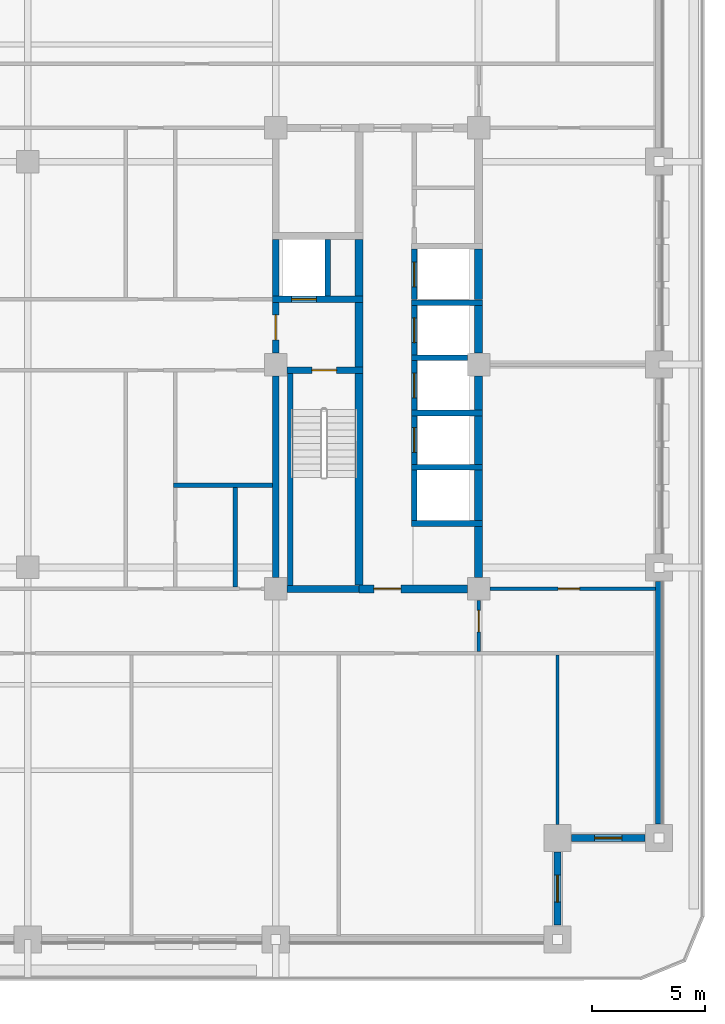
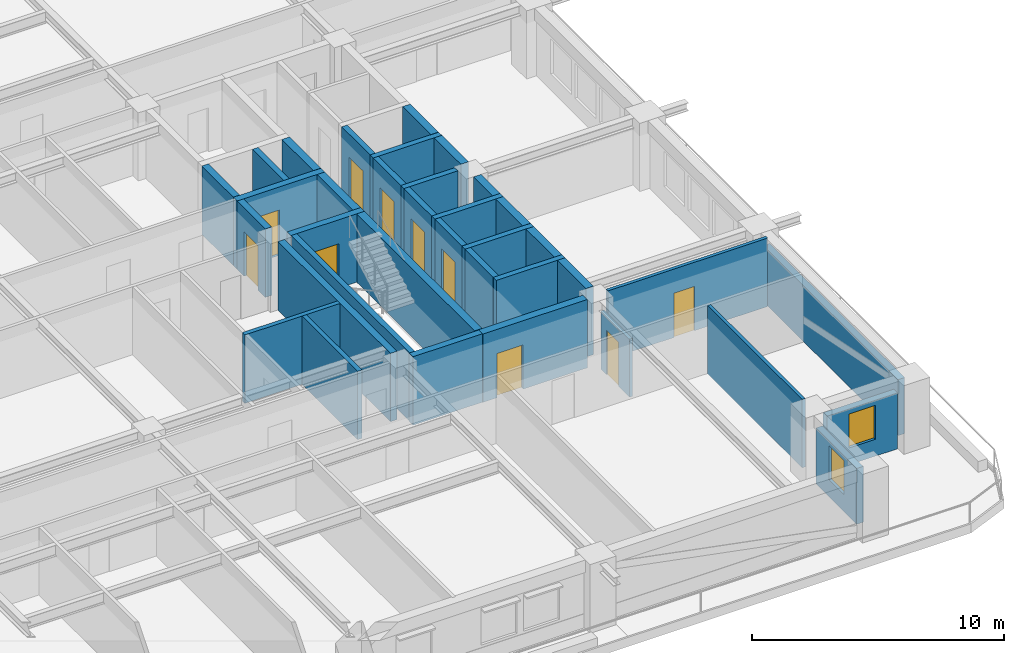
# One storey, part 4 of 13: 36 walls, 10 doors, 2 windows, 12 openings.
"""IFC4 building model written with IfcOpenShell, lengths in metres."""

from ifc_helpers import new_model, si_unit, direction, frame, frame_2d, origin, place, context, subcontext, project, spatial, rectangle, extrude, material, layer, layer_set, type_object, element, fill, save


model = new_model("IFC4")

# Units and contexts
model_context = context("Model", 3, precision=1e-05, world=origin(), true_north=direction((0.0, 1.0)))
body_context = subcontext(model_context, "Body", "Model", "MODEL_VIEW")
ifc_project = project(units=[si_unit("LENGTHUNIT", "METRE"), si_unit("AREAUNIT", "SQUARE_METRE"), si_unit("VOLUMEUNIT", "CUBIC_METRE"), si_unit("PLANEANGLEUNIT", "RADIAN"), si_unit("MASSUNIT", "GRAM", prefix="KILO")], contexts=[model_context])

# Site, building, storey
site_placement = place(None, origin())
site = spatial("IfcSite", under=ifc_project, at=site_placement, CompositionType="ELEMENT")
building_placement = place(site_placement, origin())
building = spatial("IfcBuilding", under=site, at=building_placement, Name="Zulmaris Gate Convention Tower", CompositionType="ELEMENT")
storey_placement = place(building_placement, frame((0.0, 0.0, 109.2099609375)))
storey = spatial("IfcBuildingStorey", under=building, at=storey_placement, Name="L27", CompositionType="ELEMENT", Elevation=109.2099609375)

# Walls
ifc_material_1 = material(Name="Concrete C50/60", Category="concrete")
ifc_layer_1 = layer(ifc_material_1, 0.25, Name="Concrete C50/60")
ifc_layer_set_1 = layer_set([ifc_layer_1], Name="Concrete C50/60")
wall_type_1 = type_object("IfcWallType", Name="CORE-250", PredefinedType="SOLIDWALL", material=ifc_layer_set_1)
for number, where, z_axis, x_axis, name in (
    (1, (17.02490234375, -7.050048828125, 0.0), (0.0, 0.0, 1.0), (1.0, 0.0, 0.0), "WL-L27-005"),
    (2, (17.02490234375, -4.550048828125, 0.0), (0.0, 0.0, 1.0), (1.0, 0.0, 0.0), "WL-L27-006"),
    (3, (17.02490234375, -2.14990234375, 0.0), (0.0, 0.0, 1.0), (1.0, 0.0, 0.0), "WL-L27-007"),
):
    element("IfcWall", number, at=place(storey_placement, frame(where, z_axis=z_axis, x_axis=x_axis)), inside=storey, type_object=wall_type_1, Name=name, PredefinedType="SOLIDWALL", context=body_context, shape_type="SweptSolid", body=[
        extrude(rectangle(XDim=3.150146484375, YDim=0.25, at=frame_2d((1.5751953125, 0.0))), origin(), (0.0, 0.0, 1.0), 3.320068359375),
    ])
wall_1_placement = place(storey_placement, frame((17.02490234375, 0.300048828125, 0.0), z_axis=(0.0, 0.0, 1.0), x_axis=(1.0, 0.0, 0.0)))
element("IfcWall", 4, at=wall_1_placement, inside=storey, type_object=wall_type_1, Name="WL-L27-010", PredefinedType="SOLIDWALL", context=body_context, shape_type="SweptSolid", body=[
    extrude(rectangle(XDim=2.47119140625, YDim=0.25, at=frame_2d((1.235595703125, 0.0))), origin(), (0.0, 0.0, 1.0), 3.320068359375),
])
wall_2_placement = place(storey_placement, frame((17.02490234375, 2.75, 0.0), z_axis=(0.0, 0.0, 1.0), x_axis=(1.0, 0.0, 0.0)))
element("IfcWall", 5, at=wall_2_placement, inside=storey, type_object=wall_type_1, Name="WL-L27-011", PredefinedType="SOLIDWALL", context=body_context, shape_type="SweptSolid", body=[
    extrude(rectangle(XDim=3.150146484375, YDim=0.25, at=frame_2d((1.5751953125, 0.0))), origin(), (0.0, 0.0, 1.0), 3.320068359375),
])
wall_3_placement = place(storey_placement, frame((11.64990234375, -9.798095703125, 0.0), z_axis=(0.0, 0.0, 1.0), x_axis=(0.0, 1.0, 0.0)))
element("IfcWall", 6, at=wall_3_placement, inside=storey, type_object=wall_type_1, Name="WL-L27-051", PredefinedType="SOLIDWALL", context=body_context, shape_type="SweptSolid", body=[
    extrude(rectangle(XDim=9.39599609375, YDim=0.25, at=frame_2d((4.697998046875, 0.0))), origin(), (0.0, 0.0, 1.0), 3.320068359375),
])
wall_4_placement = place(storey_placement, frame((13.300048828125, 3.052001953125, 0.0), z_axis=(0.0, 0.0, 1.0), x_axis=(0.0, 1.0, 0.0)))
element("IfcWall", 7, at=wall_4_placement, inside=storey, type_object=wall_type_1, Name="WL-L27-052", PredefinedType="SOLIDWALL", context=body_context, shape_type="SweptSolid", body=[
    extrude(rectangle(XDim=2.49609375, YDim=0.25, at=frame_2d((1.248046875, 0.0))), origin(), (0.0, 0.0, 1.0), 3.320068359375),
])
wall_5_placement = place(storey_placement, frame((17.14990234375, -6.923095703125, 0.0), z_axis=(0.0, 0.0, 1.0), x_axis=(0.0, 1.0, 0.0)))
element("IfcWall", 8, at=wall_5_placement, inside=storey, type_object=wall_type_1, Name="WL-L27-057", PredefinedType="SOLIDWALL", context=body_context, shape_type="SweptSolid", body=[
    extrude(rectangle(XDim=2.24609375, YDim=0.25, at=frame_2d((1.123046875, 0.0))), origin(), (0.0, 0.0, 1.0), 3.320068359375),
])

# Wall, opening, door
wall_6_placement = place(storey_placement, frame((17.14990234375, -4.423095703125, 0.0), z_axis=(0.0, 0.0, 1.0), x_axis=(0.0, 1.0, 0.0)))
wall_6 = element("IfcWall", 9, at=wall_6_placement, inside=storey, type_object=wall_type_1, Name="WL-L27-058", PredefinedType="SOLIDWALL", context=body_context, shape_type="SweptSolid", body=[
    extrude(rectangle(XDim=2.14599609375, YDim=0.25, at=frame_2d((1.072998046875, 0.0))), origin(), (0.0, 0.0, 1.0), 3.320068359375),
])
opening_1_placement = place(wall_6_placement, frame((0.52294921875, 0.0, 0.0)))
opening_1 = element("IfcOpeningElement", 10, at=opening_1_placement, cuts=wall_6, Name="Opening D-06", PredefinedType="OPENING", context=body_context, shape_type="SweptSolid", body=[
    extrude(rectangle(XDim=1.10009765625, YDim=2.199951171875, at=frame_2d((0.550048828125, 1.10009765625))), frame((0.0, 0.135009765625, 0.0), z_axis=(0.0, -1.0, 0.0), x_axis=(1.0, 0.0, 0.0)), (0.0, 0.0, 1.0), 0.27001953125),
])
ifc_material_2 = material(Name="Brushed Stainless Steel", Category="steel")
door_type_1 = type_object("IfcDoorType", Name="LD-1100", OperationType="NOTDEFINED", PredefinedType="DOOR", material=ifc_material_2)
door_1_placement = place(opening_1_placement, origin())
door_1 = element("IfcDoor", 11, at=door_1_placement, inside=storey, type_object=door_type_1, Name="L27 Lift Landing Door MP-01 13", OperationType="SLIDING_TO_RIGHT", OverallHeight=2.199951171875, OverallWidth=1.10009765625, PredefinedType="DOOR", context=body_context, shape_type="SweptSolid", body=[
    extrude(rectangle(XDim=1.10009765625, YDim=2.199951171875, at=frame_2d((0.550048828125, 1.10009765625))), frame((0.0, 0.02490234375, 0.0), z_axis=(0.0, -1.0, 0.0), x_axis=(1.0, 0.0, 0.0)), (0.0, 0.0, 1.0), 0.050048828125),
])
fill(opening_1, door_1)

wall_7_placement = place(storey_placement, frame((17.14990234375, -2.02294921875, 0.0), z_axis=(0.0, 0.0, 1.0), x_axis=(0.0, 1.0, 0.0)))
wall_7 = element("IfcWall", 12, at=wall_7_placement, inside=storey, type_object=wall_type_1, Name="WL-L27-059", PredefinedType="SOLIDWALL", context=body_context, shape_type="SweptSolid", body=[
    extrude(rectangle(XDim=2.196044921875, YDim=0.25, at=frame_2d((1.09814453125, 0.0))), origin(), (0.0, 0.0, 1.0), 3.320068359375),
])
opening_2_placement = place(wall_7_placement, frame((0.548095703125, 0.0, 0.0)))
opening_2 = element("IfcOpeningElement", 13, at=opening_2_placement, cuts=wall_7, Name="Opening D-06", PredefinedType="OPENING", context=body_context, shape_type="SweptSolid", body=[
    extrude(rectangle(XDim=1.10009765625, YDim=2.199951171875, at=frame_2d((0.550048828125, 1.10009765625))), frame((0.0, 0.135009765625, 0.0), z_axis=(0.0, -1.0, 0.0), x_axis=(1.0, 0.0, 0.0)), (0.0, 0.0, 1.0), 0.27001953125),
])
door_2_placement = place(opening_2_placement, origin())
door_2 = element("IfcDoor", 14, at=door_2_placement, inside=storey, type_object=door_type_1, Name="L27 Lift Landing Door MP-02 14", OperationType="SLIDING_TO_RIGHT", OverallHeight=2.199951171875, OverallWidth=1.10009765625, PredefinedType="DOOR", context=body_context, shape_type="SweptSolid", body=[
    extrude(rectangle(XDim=1.10009765625, YDim=2.199951171875, at=frame_2d((0.550048828125, 1.10009765625))), frame((0.0, 0.02490234375, 0.0), z_axis=(0.0, -1.0, 0.0), x_axis=(1.0, 0.0, 0.0)), (0.0, 0.0, 1.0), 0.050048828125),
])
fill(opening_2, door_2)

wall_8_placement = place(storey_placement, frame((17.14990234375, 0.427001953125, 0.0), z_axis=(0.0, 0.0, 1.0), x_axis=(0.0, 1.0, 0.0)))
wall_8 = element("IfcWall", 15, at=wall_8_placement, inside=storey, type_object=wall_type_1, Name="WL-L27-060", PredefinedType="SOLIDWALL", context=body_context, shape_type="SweptSolid", body=[
    extrude(rectangle(XDim=2.196044921875, YDim=0.25, at=frame_2d((1.09814453125, 0.0))), origin(), (0.0, 0.0, 1.0), 3.320068359375),
])
opening_3_placement = place(wall_8_placement, frame((0.548095703125, 0.0, 0.0)))
opening_3 = element("IfcOpeningElement", 16, at=opening_3_placement, cuts=wall_8, Name="Opening D-06", PredefinedType="OPENING", context=body_context, shape_type="SweptSolid", body=[
    extrude(rectangle(XDim=1.10009765625, YDim=2.199951171875, at=frame_2d((0.550048828125, 1.10009765625))), frame((0.0, 0.135009765625, 0.0), z_axis=(0.0, -1.0, 0.0), x_axis=(1.0, 0.0, 0.0)), (0.0, 0.0, 1.0), 0.27001953125),
])
door_3_placement = place(opening_3_placement, origin())
door_3 = element("IfcDoor", 17, at=door_3_placement, inside=storey, type_object=door_type_1, Name="L27 Lift Landing Door MP-03 15", OperationType="SLIDING_TO_RIGHT", OverallHeight=2.199951171875, OverallWidth=1.10009765625, PredefinedType="DOOR", context=body_context, shape_type="SweptSolid", body=[
    extrude(rectangle(XDim=1.10009765625, YDim=2.199951171875, at=frame_2d((0.550048828125, 1.10009765625))), frame((0.0, 0.02490234375, 0.0), z_axis=(0.0, -1.0, 0.0), x_axis=(1.0, 0.0, 0.0)), (0.0, 0.0, 1.0), 0.050048828125),
])
fill(opening_3, door_3)

wall_9_placement = place(storey_placement, frame((17.14990234375, 2.876953125, 0.0), z_axis=(0.0, 0.0, 1.0), x_axis=(0.0, 1.0, 0.0)))
wall_9 = element("IfcWall", 18, at=wall_9_placement, inside=storey, type_object=wall_type_1, Name="WL-L27-061", PredefinedType="SOLIDWALL", context=body_context, shape_type="SweptSolid", body=[
    extrude(rectangle(XDim=2.24609375, YDim=0.25, at=frame_2d((1.123046875, 0.0))), origin(), (0.0, 0.0, 1.0), 3.320068359375),
])
opening_4_placement = place(wall_9_placement, frame((0.572998046875, 0.0, 0.0)))
opening_4 = element("IfcOpeningElement", 19, at=opening_4_placement, cuts=wall_9, Name="Opening D-06", PredefinedType="OPENING", context=body_context, shape_type="SweptSolid", body=[
    extrude(rectangle(XDim=1.10009765625, YDim=2.199951171875, at=frame_2d((0.550048828125, 1.10009765625))), frame((0.0, 0.135009765625, 0.0), z_axis=(0.0, -1.0, 0.0), x_axis=(1.0, 0.0, 0.0)), (0.0, 0.0, 1.0), 0.27001953125),
])
door_4_placement = place(opening_4_placement, origin())
door_4 = element("IfcDoor", 20, at=door_4_placement, inside=storey, type_object=door_type_1, Name="L27 Lift Landing Door MP-04 16", OperationType="SLIDING_TO_RIGHT", OverallHeight=2.199951171875, OverallWidth=1.10009765625, PredefinedType="DOOR", context=body_context, shape_type="SweptSolid", body=[
    extrude(rectangle(XDim=1.10009765625, YDim=2.199951171875, at=frame_2d((0.550048828125, 1.10009765625))), frame((0.0, 0.02490234375, 0.0), z_axis=(0.0, -1.0, 0.0), x_axis=(1.0, 0.0, 0.0)), (0.0, 0.0, 1.0), 0.050048828125),
])
fill(opening_4, door_4)

# Wall
ifc_layer_2 = layer(ifc_material_1, 0.300048828125, Name="Concrete C50/60")
ifc_layer_set_2 = layer_set([ifc_layer_2], Name="Concrete C50/60")
wall_type_2 = type_object("IfcWallType", Name="CORE-300", PredefinedType="SHEAR", material=ifc_layer_set_2)
wall_10_placement = place(storey_placement, frame((11.50390625, -9.949951171875, 0.0), z_axis=(0.0, 0.0, 1.0), x_axis=(1.0, 0.0, 0.0)))
element("IfcWall", 21, at=wall_10_placement, inside=storey, type_object=wall_type_2, Name="WL-L27-003", PredefinedType="SHEAR", context=body_context, shape_type="SweptSolid", body=[
    extrude(rectangle(XDim=3.196044921875, YDim=0.300048828125, at=frame_2d((1.59814453125, 0.0))), origin(), (0.0, 0.0, 1.0), 3.320068359375),
])

# Wall, opening, door
wall_11_placement = place(storey_placement, frame((11.50390625, -0.25, 0.0), z_axis=(0.0, 0.0, 1.0), x_axis=(1.0, 0.0, 0.0)))
wall_11 = element("IfcWall", 22, at=wall_11_placement, inside=storey, type_object=wall_type_2, Name="WL-L27-009", PredefinedType="SHEAR", context=body_context, shape_type="SweptSolid", body=[
    extrude(rectangle(XDim=3.37109375, YDim=0.300048828125, at=frame_2d((1.685546875, 0.0))), origin(), (0.0, 0.0, 1.0), 3.320068359375),
])
opening_5_placement = place(wall_11_placement, frame((1.095947265625, 0.0, 0.0)))
opening_5 = element("IfcOpeningElement", 23, at=opening_5_placement, cuts=wall_11, Name="Opening D-08", PredefinedType="OPENING", context=body_context, shape_type="SweptSolid", body=[
    extrude(rectangle(XDim=1.10009765625, YDim=2.14990234375, at=frame_2d((0.550048828125, 1.074951171875))), frame((0.0, 0.16015625, 0.0), z_axis=(0.0, -1.0, 0.0), x_axis=(1.0, 0.0, 0.0)), (0.0, 0.0, 1.0), 0.320068359375),
])
ifc_material_3 = material(Name="Fire-Rated Steel", Category="steel")
door_type_2 = type_object("IfcDoorType", Name="DR-1100-FD", OperationType="NOTDEFINED", PredefinedType="DOOR", material=ifc_material_3)
door_5_placement = place(opening_5_placement, origin())
door_5 = element("IfcDoor", 24, at=door_5_placement, inside=storey, type_object=door_type_2, Name="L27 Exit Stair ST-2 Door 04", OperationType="SINGLE_SWING_LEFT", OverallHeight=2.14990234375, OverallWidth=1.10009765625, PredefinedType="DOOR", context=body_context, shape_type="SweptSolid", body=[
    extrude(rectangle(XDim=1.10009765625, YDim=2.14990234375, at=frame_2d((0.550048828125, 1.074951171875))), frame((0.0, 0.02490234375, 0.0), z_axis=(0.0, -1.0, 0.0), x_axis=(1.0, 0.0, 0.0)), (0.0, 0.0, 1.0), 0.050048828125),
])
fill(opening_5, door_5)

wall_12_placement = place(storey_placement, frame((10.85009765625, 2.89990234375, 0.0), z_axis=(0.0, 0.0, 1.0), x_axis=(1.0, 0.0, 0.0)))
wall_12 = element("IfcWall", 25, at=wall_12_placement, inside=storey, type_object=wall_type_2, Name="WL-L27-013", PredefinedType="SHEAR", context=body_context, shape_type="SweptSolid", body=[
    extrude(rectangle(XDim=4.02490234375, YDim=0.300048828125, at=frame_2d((2.012451171875, 0.0))), origin(), (0.0, 0.0, 1.0), 3.320068359375),
])
opening_6_placement = place(wall_12_placement, frame((0.85009765625, 0.0, 0.0)))
opening_6 = element("IfcOpeningElement", 26, at=opening_6_placement, cuts=wall_12, Name="Opening D-06", PredefinedType="OPENING", context=body_context, shape_type="SweptSolid", body=[
    extrude(rectangle(XDim=1.10009765625, YDim=2.199951171875, at=frame_2d((0.550048828125, 1.10009765625))), frame((0.0, 0.16015625, 0.0), z_axis=(0.0, -1.0, 0.0), x_axis=(1.0, 0.0, 0.0)), (0.0, 0.0, 1.0), 0.320068359375),
])
door_6_placement = place(opening_6_placement, origin())
door_6 = element("IfcDoor", 27, at=door_6_placement, inside=storey, type_object=door_type_1, Name="L27 Lift Landing Door LF-02 06", OperationType="SLIDING_TO_RIGHT", OverallHeight=2.199951171875, OverallWidth=1.10009765625, PredefinedType="DOOR", context=body_context, shape_type="SweptSolid", body=[
    extrude(rectangle(XDim=1.10009765625, YDim=2.199951171875, at=frame_2d((0.550048828125, 1.10009765625))), frame((0.0, 0.02490234375, 0.0), z_axis=(0.0, -1.0, 0.0), x_axis=(1.0, 0.0, 0.0)), (0.0, 0.0, 1.0), 0.050048828125),
])
fill(opening_6, door_6)

# Wall
wall_13_placement = place(storey_placement, frame((11.0, -9.446044921875, 0.0), z_axis=(0.0, 0.0, 1.0), x_axis=(0.0, 1.0, 0.0)))
element("IfcWall", 28, at=wall_13_placement, inside=storey, type_object=wall_type_2, Name="WL-L27-047", PredefinedType="SHEAR", context=body_context, shape_type="SweptSolid", body=[
    extrude(rectangle(XDim=8.942138671875, YDim=0.300048828125, at=frame_2d((4.47119140625, 0.0))), origin(), (0.0, 0.0, 1.0), 3.320068359375),
])

# Wall, opening, door
wall_14_placement = place(storey_placement, frame((11.0, 0.50390625, 0.0), z_axis=(0.0, 0.0, 1.0), x_axis=(0.0, 1.0, 0.0)))
wall_14 = element("IfcWall", 29, at=wall_14_placement, inside=storey, type_object=wall_type_2, Name="WL-L27-048", PredefinedType="SHEAR", context=body_context, shape_type="SweptSolid", body=[
    extrude(rectangle(XDim=2.244140625, YDim=0.300048828125, at=frame_2d((1.1220703125, 0.0))), origin(), (0.0, 0.0, 1.0), 3.320068359375),
])
opening_7_placement = place(wall_14_placement, frame((0.595947265625, 0.0, 0.0)))
opening_7 = element("IfcOpeningElement", 30, at=opening_7_placement, cuts=wall_14, Name="Opening D-08", PredefinedType="OPENING", context=body_context, shape_type="SweptSolid", body=[
    extrude(rectangle(XDim=1.10009765625, YDim=2.14990234375, at=frame_2d((0.550048828125, 1.074951171875))), frame((0.0, 0.16015625, 0.0), z_axis=(0.0, -1.0, 0.0), x_axis=(1.0, 0.0, 0.0)), (0.0, 0.0, 1.0), 0.320068359375),
])
door_7_placement = place(opening_7_placement, origin())
door_7 = element("IfcDoor", 31, at=door_7_placement, inside=storey, type_object=door_type_2, Name="L27 East Firefighting Lobby Door 05", OperationType="SINGLE_SWING_RIGHT", OverallHeight=2.14990234375, OverallWidth=1.10009765625, PredefinedType="DOOR", context=body_context, shape_type="SweptSolid", body=[
    extrude(rectangle(XDim=1.10009765625, YDim=2.14990234375, at=frame_2d((0.550048828125, 1.074951171875))), frame((0.0, 0.02490234375, 0.0), z_axis=(0.0, -1.0, 0.0), x_axis=(1.0, 0.0, 0.0)), (0.0, 0.0, 1.0), 0.050048828125),
])
fill(opening_7, door_7)

# Wall
wall_15_placement = place(storey_placement, frame((11.0, 3.052001953125, 0.0), z_axis=(0.0, 0.0, 1.0), x_axis=(0.0, 1.0, 0.0)))
element("IfcWall", 32, at=wall_15_placement, inside=storey, type_object=wall_type_2, Name="WL-L27-049", PredefinedType="SHEAR", context=body_context, shape_type="SweptSolid", body=[
    extrude(rectangle(XDim=2.49609375, YDim=0.300048828125, at=frame_2d((1.248046875, 0.0))), origin(), (0.0, 0.0, 1.0), 3.320068359375),
])

# Wall, opening, door
ifc_material_4 = material(Name="Concrete C55/67", Category="concrete")
ifc_layer_3 = layer(ifc_material_4, 0.35009765625, Name="Concrete C55/67")
ifc_layer_set_3 = layer_set([ifc_layer_3], Name="Concrete C55/67")
wall_type_3 = type_object("IfcWallType", Name="CORE-350", PredefinedType="SHEAR", material=ifc_layer_set_3)
wall_16_placement = place(storey_placement, frame((14.699951171875, -9.949951171875, 0.0), z_axis=(0.0, 0.0, 1.0), x_axis=(1.0, 0.0, 0.0)))
wall_16 = element("IfcWall", 33, at=wall_16_placement, inside=storey, type_object=wall_type_3, Name="WL-L27-004", PredefinedType="SHEAR", context=body_context, shape_type="SweptSolid", body=[
    extrude(rectangle(XDim=4.796142578125, YDim=0.35009765625, at=frame_2d((2.39794921875, 0.0))), origin(), (0.0, 0.0, 1.0), 3.320068359375),
])
opening_8_placement = place(wall_16_placement, frame((0.64990234375, 0.0, 0.0)))
opening_8 = element("IfcOpeningElement", 34, at=opening_8_placement, cuts=wall_16, Name="Opening D-13", PredefinedType="OPENING", context=body_context, shape_type="SweptSolid", body=[
    extrude(rectangle(XDim=1.199951171875, YDim=2.14990234375, at=frame_2d((0.60009765625, 1.074951171875))), frame((0.0, 0.18505859375, 0.0), z_axis=(0.0, -1.0, 0.0), x_axis=(1.0, 0.0, 0.0)), (0.0, 0.0, 1.0), 0.3701171875),
])
door_type_3 = type_object("IfcDoorType", Name="DR-1200-FD", OperationType="NOTDEFINED", PredefinedType="DOOR", material=ifc_material_3)
door_8_placement = place(opening_8_placement, origin())
door_8 = element("IfcDoor", 35, at=door_8_placement, inside=storey, type_object=door_type_3, Name="L27 East Lift Lobby South Door 17", OperationType="SINGLE_SWING_LEFT", OverallHeight=2.14990234375, OverallWidth=1.199951171875, PredefinedType="DOOR", context=body_context, shape_type="SweptSolid", body=[
    extrude(rectangle(XDim=1.199951171875, YDim=2.14990234375, at=frame_2d((0.60009765625, 1.074951171875))), frame((0.0, 0.02490234375, 0.0), z_axis=(0.0, -1.0, 0.0), x_axis=(1.0, 0.0, 0.0)), (0.0, 0.0, 1.0), 0.050048828125),
])
fill(opening_8, door_8)

# Walls
wall_17_placement = place(storey_placement, frame((14.699951171875, -9.77294921875, 0.0), z_axis=(0.0, 0.0, 1.0), x_axis=(0.0, 1.0, 0.0)))
element("IfcWall", 36, at=wall_17_placement, inside=storey, type_object=wall_type_3, Name="WL-L27-053", PredefinedType="SHEAR", context=body_context, shape_type="SweptSolid", body=[
    extrude(rectangle(XDim=9.370849609375, YDim=0.35009765625, at=frame_2d((4.685546875, 0.0))), origin(), (0.0, 0.0, 1.0), 3.320068359375),
])
wall_18_placement = place(storey_placement, frame((14.699951171875, -0.097900390625, 0.0), z_axis=(0.0, 0.0, 1.0), x_axis=(0.0, 1.0, 0.0)))
element("IfcWall", 37, at=wall_18_placement, inside=storey, type_object=wall_type_3, Name="WL-L27-054", PredefinedType="SHEAR", context=body_context, shape_type="SweptSolid", body=[
    extrude(rectangle(XDim=2.845947265625, YDim=0.35009765625, at=frame_2d((1.4228515625, 0.0))), origin(), (0.0, 0.0, 1.0), 3.320068359375),
])
wall_19_placement = place(storey_placement, frame((14.699951171875, 3.052001953125, 0.0), z_axis=(0.0, 0.0, 1.0), x_axis=(0.0, 1.0, 0.0)))
element("IfcWall", 38, at=wall_19_placement, inside=storey, type_object=wall_type_3, Name="WL-L27-055", PredefinedType="SHEAR", context=body_context, shape_type="SweptSolid", body=[
    extrude(rectangle(XDim=2.49609375, YDim=0.35009765625, at=frame_2d((1.248046875, 0.0))), origin(), (0.0, 0.0, 1.0), 3.320068359375),
])
wall_20_placement = place(storey_placement, frame((20.0, -9.446044921875, 0.0), z_axis=(0.0, 0.0, 1.0), x_axis=(0.0, 1.0, 0.0)))
element("IfcWall", 39, at=wall_20_placement, inside=storey, type_object=wall_type_3, Name="WL-L27-062", PredefinedType="SHEAR", context=body_context, shape_type="SweptSolid", body=[
    extrude(rectangle(XDim=2.26904296875, YDim=0.35009765625, at=frame_2d((1.134521484375, 0.0))), origin(), (0.0, 0.0, 1.0), 3.320068359375),
])
wall_21_placement = place(storey_placement, frame((20.0, -6.923095703125, 0.0), z_axis=(0.0, 0.0, 1.0), x_axis=(0.0, 1.0, 0.0)))
element("IfcWall", 40, at=wall_21_placement, inside=storey, type_object=wall_type_3, Name="WL-L27-063", PredefinedType="SHEAR", context=body_context, shape_type="SweptSolid", body=[
    extrude(rectangle(XDim=2.24609375, YDim=0.35009765625, at=frame_2d((1.123046875, 0.0))), origin(), (0.0, 0.0, 1.0), 3.320068359375),
])
wall_22_placement = place(storey_placement, frame((20.0, -4.423095703125, 0.0), z_axis=(0.0, 0.0, 1.0), x_axis=(0.0, 1.0, 0.0)))
element("IfcWall", 41, at=wall_22_placement, inside=storey, type_object=wall_type_3, Name="WL-L27-064", PredefinedType="SHEAR", context=body_context, shape_type="SweptSolid", body=[
    extrude(rectangle(XDim=2.14599609375, YDim=0.35009765625, at=frame_2d((1.072998046875, 0.0))), origin(), (0.0, 0.0, 1.0), 3.320068359375),
])
wall_23_placement = place(storey_placement, frame((20.0, -2.02294921875, 0.0), z_axis=(0.0, 0.0, 1.0), x_axis=(0.0, 1.0, 0.0)))
element("IfcWall", 42, at=wall_23_placement, inside=storey, type_object=wall_type_3, Name="WL-L27-065", PredefinedType="SHEAR", context=body_context, shape_type="SweptSolid", body=[
    extrude(rectangle(XDim=1.51904296875, YDim=0.35009765625, at=frame_2d((0.759521484375, 0.0))), origin(), (0.0, 0.0, 1.0), 3.320068359375),
])
wall_24_placement = place(storey_placement, frame((20.0, 0.50390625, 0.0), z_axis=(0.0, 0.0, 1.0), x_axis=(0.0, 1.0, 0.0)))
element("IfcWall", 43, at=wall_24_placement, inside=storey, type_object=wall_type_3, Name="WL-L27-066", PredefinedType="SHEAR", context=body_context, shape_type="SweptSolid", body=[
    extrude(rectangle(XDim=2.119140625, YDim=0.35009765625, at=frame_2d((1.0595703125, 0.0))), origin(), (0.0, 0.0, 1.0), 3.320068359375),
])
wall_25_placement = place(storey_placement, frame((20.0, 2.876953125, 0.0), z_axis=(0.0, 0.0, 1.0), x_axis=(0.0, 1.0, 0.0)))
element("IfcWall", 44, at=wall_25_placement, inside=storey, type_object=wall_type_3, Name="WL-L27-067", PredefinedType="SHEAR", context=body_context, shape_type="SweptSolid", body=[
    extrude(rectangle(XDim=2.24609375, YDim=0.35009765625, at=frame_2d((1.123046875, 0.0))), origin(), (0.0, 0.0, 1.0), 3.320068359375),
])

# Wall, opening, door
ifc_material_5 = material(Name="Gypsum Metal Stud Partition")
ifc_layer_4 = layer(ifc_material_5, 0.14990234375, Name="Gypsum Metal Stud Partition")
ifc_layer_set_4 = layer_set([ifc_layer_4], Name="Gypsum Metal Stud Partition")
wall_type_4 = type_object("IfcWallType", Name="PART-150", PredefinedType="PARTITIONING", material=ifc_layer_set_4)
wall_26_placement = place(storey_placement, frame((20.506103515625, -9.949951171875, 0.0), z_axis=(0.0, 0.0, 1.0), x_axis=(1.0, 0.0, 0.0)))
wall_26 = element("IfcWall", 45, at=wall_26_placement, inside=storey, type_object=wall_type_4, Name="WL-L27-024", PredefinedType="PARTITIONING", context=body_context, shape_type="SweptSolid", body=[
    extrude(rectangle(XDim=7.328857421875, YDim=0.14990234375, at=frame_2d((3.66455078125, 0.0))), origin(), (0.0, 0.0, 1.0), 3.320068359375),
])
opening_9_placement = place(wall_26_placement, frame((3.01904296875, 0.0, 0.0)))
opening_9 = element("IfcOpeningElement", 46, at=opening_9_placement, cuts=wall_26, Name="Opening D-11", PredefinedType="OPENING", context=body_context, shape_type="SweptSolid", body=[
    extrude(rectangle(XDim=0.949951171875, YDim=2.14990234375, at=frame_2d((0.47509765625, 1.074951171875))), frame((0.0, 0.0849609375, 0.0), z_axis=(0.0, -1.0, 0.0), x_axis=(1.0, 0.0, 0.0)), (0.0, 0.0, 1.0), 0.169921875),
])
ifc_material_6 = material(Name="Fire-Rated Timber", Category="wood")
door_type_4 = type_object("IfcDoorType", Name="DR-950-FD", OperationType="NOTDEFINED", PredefinedType="DOOR", material=ifc_material_6)
door_9_placement = place(opening_9_placement, origin())
door_9 = element("IfcDoor", 47, at=door_9_placement, inside=storey, type_object=door_type_4, Name="L27 SE Partner Door 45", OperationType="SINGLE_SWING_LEFT", OverallHeight=2.14990234375, OverallWidth=0.949951171875, PredefinedType="DOOR", context=body_context, shape_type="SweptSolid", body=[
    extrude(rectangle(XDim=0.949951171875, YDim=2.14990234375, at=frame_2d((0.47509765625, 1.074951171875))), frame((0.0, 0.02490234375, 0.0), z_axis=(0.0, -1.0, 0.0), x_axis=(1.0, 0.0, 0.0)), (0.0, 0.0, 1.0), 0.050048828125),
])
fill(opening_9, door_9)

wall_27_placement = place(storey_placement, frame((20.0, -12.721923828125, 0.0), z_axis=(0.0, 0.0, 1.0), x_axis=(0.0, 1.0, 0.0)))
wall_27 = element("IfcWall", 48, at=wall_27_placement, inside=storey, type_object=wall_type_4, Name="WL-L27-088", PredefinedType="PARTITIONING", context=body_context, shape_type="SweptSolid", body=[
    extrude(rectangle(XDim=2.265869140625, YDim=0.14990234375, at=frame_2d((1.1328125, 0.0))), origin(), (0.0, 0.0, 1.0), 2.81005859375),
])
opening_10_placement = place(wall_27_placement, frame((0.866943359375, 0.0, 0.0)))
opening_10 = element("IfcOpeningElement", 49, at=opening_10_placement, cuts=wall_27, Name="Opening D-11", PredefinedType="OPENING", context=body_context, shape_type="SweptSolid", body=[
    extrude(rectangle(XDim=0.949951171875, YDim=2.14990234375, at=frame_2d((0.47509765625, 1.074951171875))), frame((0.0, 0.0849609375, 0.0), z_axis=(0.0, -1.0, 0.0), x_axis=(1.0, 0.0, 0.0)), (0.0, 0.0, 1.0), 0.169921875),
])
door_10_placement = place(opening_10_placement, origin())
door_10 = element("IfcDoor", 50, at=door_10_placement, inside=storey, type_object=door_type_4, Name="L27 SE Spur Door 43", OperationType="SINGLE_SWING_LEFT", OverallHeight=2.14990234375, OverallWidth=0.949951171875, PredefinedType="DOOR", context=body_context, shape_type="SweptSolid", body=[
    extrude(rectangle(XDim=0.949951171875, YDim=2.14990234375, at=frame_2d((0.47509765625, 1.074951171875))), frame((0.0, 0.02490234375, 0.0), z_axis=(0.0, -1.0, 0.0), x_axis=(1.0, 0.0, 0.0)), (0.0, 0.0, 1.0), 0.050048828125),
])
fill(opening_10, door_10)

# Walls
wall_28_placement = place(storey_placement, frame((23.5, -20.39404296875, 0.0), z_axis=(0.0, 0.0, 1.0), x_axis=(0.0, 1.0, 0.0)))
element("IfcWall", 51, at=wall_28_placement, inside=storey, type_object=wall_type_4, Name="WL-L27-090", PredefinedType="PARTITIONING", context=body_context, shape_type="SweptSolid", body=[
    extrude(rectangle(XDim=7.51611328125, YDim=0.14990234375, at=frame_2d((3.758056640625, 0.0))), origin(), (0.0, 0.0, 1.0), 3.320068359375),
])
ifc_material_7 = material(Name="Autoclaved Aerated Concrete Block and Plasterboard", Category="concrete")
ifc_layer_5 = layer(ifc_material_7, 0.199951171875, Name="Autoclaved Aerated Concrete Block and Plasterboard")
ifc_layer_set_5 = layer_set([ifc_layer_5], Name="Autoclaved Aerated Concrete Block and Plasterboard")
wall_type_5 = type_object("IfcWallType", Name="PART-200", PredefinedType="PARTITIONING", material=ifc_layer_set_5)
wall_29_placement = place(storey_placement, frame((6.47509765625, -5.35009765625, 0.0), z_axis=(0.0, 0.0, 1.0), x_axis=(1.0, 0.0, 0.0)))
element("IfcWall", 52, at=wall_29_placement, inside=storey, type_object=wall_type_5, Name="WL-L27-025", PredefinedType="PARTITIONING", context=body_context, shape_type="SweptSolid", body=[
    extrude(rectangle(XDim=4.371826171875, YDim=0.199951171875, at=frame_2d((2.18603515625, 0.0))), origin(), (0.0, 0.0, 1.0), 3.320068359375),
])
wall_30_placement = place(storey_placement, frame((9.199951171875, -9.8720703125, 0.0), z_axis=(0.0, 0.0, 1.0), x_axis=(0.0, 1.0, 0.0)))
element("IfcWall", 53, at=wall_30_placement, inside=storey, type_object=wall_type_5, Name="WL-L27-084", PredefinedType="PARTITIONING", context=body_context, shape_type="SweptSolid", body=[
    extrude(rectangle(XDim=4.419189453125, YDim=0.199951171875, at=frame_2d((2.20947265625, 0.0))), origin(), (0.0, 0.0, 1.0), 3.320068359375),
])

# Wall, opening, window
ifc_material_8 = material(Name="Precast concrete C40/50", Category="concrete")
ifc_layer_6 = layer(ifc_material_8, 0.300048828125, Name="Precast concrete C40/50")
ifc_layer_set_6 = layer_set([ifc_layer_6], Name="Precast concrete C40/50")
wall_type_6 = type_object("IfcWallType", Name="PRECAST-PIER-300", PredefinedType="STANDARD", material=ifc_layer_set_6)
wall_31_placement = place(storey_placement, frame((23.5, -24.8701171875, 0.0), z_axis=(0.0, 0.0, 1.0), x_axis=(0.0, 1.0, 0.0)))
wall_31 = element("IfcWall", 54, at=wall_31_placement, inside=storey, type_object=wall_type_6, Name="EW-L27-NOTCH-SE1_0", PredefinedType="STANDARD", context=body_context, shape_type="SweptSolid", body=[
    extrude(rectangle(XDim=3.240234375, YDim=0.300048828125, at=frame_2d((1.6201171875, 0.0))), origin(), (0.0, 0.0, 1.0), 2.712158203125),
])
opening_11_placement = place(wall_31_placement, frame((1.02001953125, 0.0, 0.820068359375)))
opening_11 = element("IfcOpeningElement", 55, at=opening_11_placement, cuts=wall_31, Name="Opening W-04", PredefinedType="OPENING", context=body_context, shape_type="SweptSolid", body=[
    extrude(rectangle(XDim=1.199951171875, YDim=1.64990234375, at=frame_2d((0.60009765625, 0.824951171875))), frame((0.0, 0.16015625, 0.0), z_axis=(0.0, -1.0, 0.0), x_axis=(1.0, 0.0, 0.0)), (0.0, 0.0, 1.0), 0.320068359375),
])
ifc_material_9 = material(Name="Low-E Laminated Double Glazing in Aluminium Frame", Category="aluminium")
window_type = type_object("IfcWindowType", Name="WIN-1200x2100", PartitioningType="SINGLE_PANEL", PredefinedType="WINDOW", material=ifc_material_9)
window_1_placement = place(opening_11_placement, origin())
window_1 = element("IfcWindow", 56, at=window_1_placement, inside=storey, type_object=window_type, Name="WN-EW-L27-NOTCH-SE1_0", OverallHeight=1.64990234375, OverallWidth=1.199951171875, PartitioningType="SINGLE_PANEL", PredefinedType="WINDOW", context=body_context, shape_type="SweptSolid", body=[
    extrude(rectangle(XDim=1.199951171875, YDim=1.64990234375, at=frame_2d((0.60009765625, 0.824951171875))), frame((0.0, 0.030029296875, 0.0), z_axis=(0.0, -1.0, 0.0), x_axis=(1.0, 0.0, 0.0)), (0.0, 0.0, 1.0), 0.06005859375),
])
fill(opening_11, window_1)

wall_32_placement = place(storey_placement, frame((24.1298828125, -21.0, 0.0), z_axis=(0.0, 0.0, 1.0), x_axis=(1.0, 0.0, 0.0)))
wall_32 = element("IfcWall", 57, at=wall_32_placement, inside=storey, type_object=wall_type_6, Name="EW-L27-NOTCH-SE2_0", PredefinedType="STANDARD", context=body_context, shape_type="SweptSolid", body=[
    extrude(rectangle(XDim=3.240234375, YDim=0.300048828125, at=frame_2d((1.6201171875, 0.0))), origin(), (0.0, 0.0, 1.0), 2.712158203125),
])
opening_12_placement = place(wall_32_placement, frame((1.02001953125, 0.0, 0.820068359375)))
opening_12 = element("IfcOpeningElement", 58, at=opening_12_placement, cuts=wall_32, Name="Opening W-04", PredefinedType="OPENING", context=body_context, shape_type="SweptSolid", body=[
    extrude(rectangle(XDim=1.199951171875, YDim=1.64990234375, at=frame_2d((0.60009765625, 0.824951171875))), frame((0.0, 0.16015625, 0.0), z_axis=(0.0, -1.0, 0.0), x_axis=(1.0, 0.0, 0.0)), (0.0, 0.0, 1.0), 0.320068359375),
])
window_2_placement = place(opening_12_placement, origin())
window_2 = element("IfcWindow", 59, at=window_2_placement, inside=storey, type_object=window_type, Name="WN-EW-L27-NOTCH-SE2_0", OverallHeight=1.64990234375, OverallWidth=1.199951171875, PartitioningType="SINGLE_PANEL", PredefinedType="WINDOW", context=body_context, shape_type="SweptSolid", body=[
    extrude(rectangle(XDim=1.199951171875, YDim=1.64990234375, at=frame_2d((0.60009765625, 0.824951171875))), frame((0.0, 0.030029296875, 0.0), z_axis=(0.0, -1.0, 0.0), x_axis=(1.0, 0.0, 0.0)), (0.0, 0.0, 1.0), 0.06005859375),
])
fill(opening_12, window_2)

# Wall
wall_33_placement = place(storey_placement, frame((28.0, -20.3701171875, 0.0), z_axis=(0.0, 0.0, 1.0), x_axis=(0.0, 1.0, 0.0)))
element("IfcWall", 60, at=wall_33_placement, inside=storey, type_object=wall_type_6, Name="EW-L27-E-0_0", PredefinedType="STANDARD", context=body_context, shape_type="SweptSolid", body=[
    extrude(rectangle(XDim=10.740234375, YDim=0.300048828125, at=frame_2d((5.3701171875, 0.0))), origin(), (0.0, 0.0, 1.0), 2.712158203125),
])

save(model, "model.ifc")
